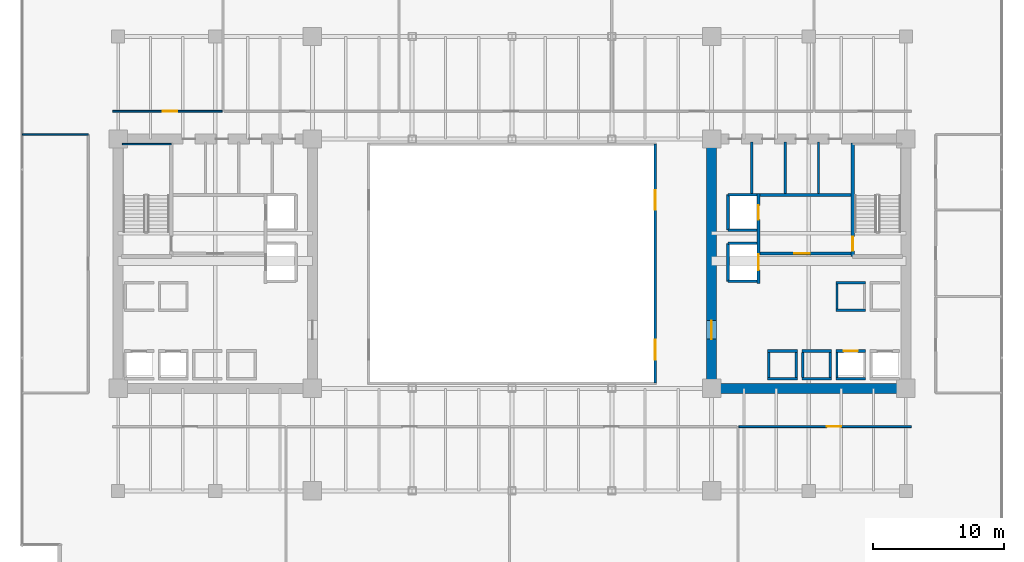
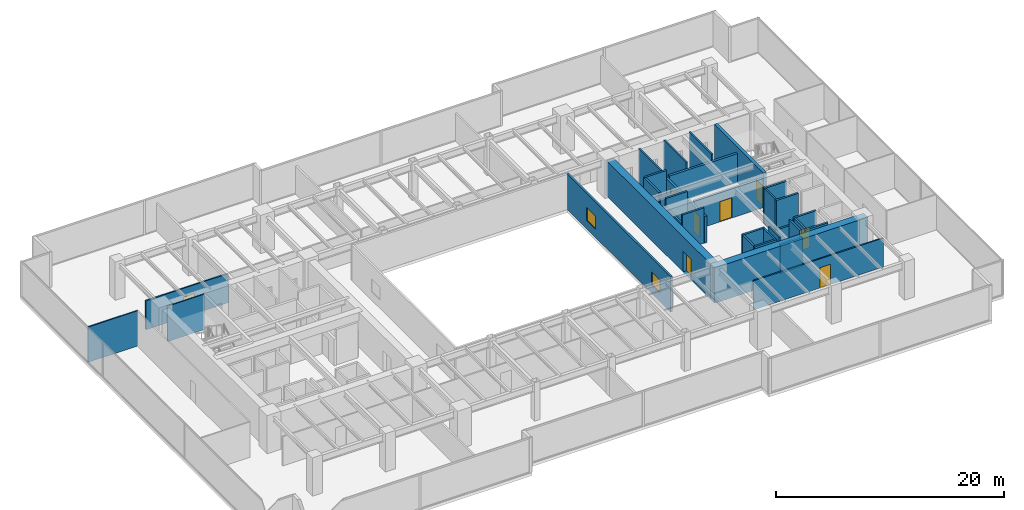
# One storey, part 30 of 35: 34 walls, 8 doors, 2 windows, 10 openings.
"""IFC4 building model written with IfcOpenShell, lengths in metres."""

from ifc_helpers import new_model, si_unit, direction, frame, frame_2d, origin, place, context, subcontext, project, spatial, rectangle, extrude, source, transform, mapped, material, layer, layer_set, type_object, type_shapes, element, fill, save


model = new_model("IFC4")

# Units and contexts
model_context = context("Model", 3, precision=1e-05, world=origin(), true_north=direction((0.0, 1.0)))
body_context = subcontext(model_context, "Body", "Model", "MODEL_VIEW")
ifc_project = project(units=[si_unit("LENGTHUNIT", "METRE"), si_unit("AREAUNIT", "SQUARE_METRE"), si_unit("VOLUMEUNIT", "CUBIC_METRE"), si_unit("PLANEANGLEUNIT", "RADIAN"), si_unit("MASSUNIT", "GRAM", prefix="KILO")], contexts=[model_context])

# Site, building, storey
site_placement = place(None, origin())
site = spatial("IfcSite", under=ifc_project, at=site_placement, CompositionType="ELEMENT")
building_placement = place(site_placement, origin())
building = spatial("IfcBuilding", under=site, at=building_placement, Name="Haelvirn Gate Laboratories", CompositionType="ELEMENT")
storey_placement = place(building_placement, frame((0.0, 0.0, 66.199951171875)))
storey = spatial("IfcBuildingStorey", under=building, at=storey_placement, Name="L16", CompositionType="ELEMENT", Elevation=66.199951171875)

# Wall, openings, windows
ifc_material_1 = material(Name="Tempered fire-rated borosilicate glass & anodised aluminium", Category="aluminium")
ifc_layer_1 = layer(ifc_material_1, 0.195068359375, Name="IW-GLAZ-200")
ifc_layer_set_1 = layer_set([ifc_layer_1], Name="Tempered fire-rated borosilicate glass & anodised aluminium")
wall_type_1 = type_object("IfcWallType", Name="IW-GLAZ-200", PredefinedType="SOLIDWALL", material=ifc_layer_set_1)
wall_1_placement = place(storey_placement, frame((48.300048828125, 15.199951171875, 0.0), z_axis=(0.0, 0.0, 1.0), x_axis=(0.0, 1.0, 0.0)))
wall_1 = element("IfcWall", 1, at=wall_1_placement, inside=storey, type_object=wall_type_1, Name="L16 Interior Wall IW-L16-ATRIUM-E", PredefinedType="SOLIDWALL", context=body_context, shape_type="SweptSolid", body=[
    extrude(rectangle(XDim=18.199951171875, YDim=0.195068359375, at=frame_2d((9.10009765625, 0.0))), origin(), (0.0, 0.0, 1.0), 3.780029296875),
])
opening_1_placement = place(wall_1_placement, frame((1.800048828125, 0.0, 0.89990234375)))
opening_1 = element("IfcOpeningElement", 2, at=opening_1_placement, cuts=wall_1, Name="Opening W5", PredefinedType="OPENING", context=body_context, shape_type="SweptSolid", body=[
    extrude(rectangle(XDim=1.5, YDim=1.39990234375, at=frame_2d((0.75, 0.699951171875))), frame((0.0, 0.107421875, 0.0), z_axis=(0.0, -1.0, 0.0), x_axis=(1.0, 0.0, 0.0)), (0.0, 0.0, 1.0), 0.215087890625),
])
opening_2_placement = place(wall_1_placement, frame((13.199951171875, 0.0, 0.89990234375)))
opening_2 = element("IfcOpeningElement", 3, at=opening_2_placement, cuts=wall_1, Name="Opening W5", PredefinedType="OPENING", context=body_context, shape_type="SweptSolid", body=[
    extrude(rectangle(XDim=1.5, YDim=1.39990234375, at=frame_2d((0.75, 0.699951171875))), frame((0.0, 0.107421875, 0.0), z_axis=(0.0, -1.0, 0.0), x_axis=(1.0, 0.0, 0.0)), (0.0, 0.0, 1.0), 0.215087890625),
])
ifc_material_2 = material(Name="Fire-rated EI 120 borosilicate atrium vision glazing", Category="glass")
window_type = type_object("IfcWindowType", Name="WN-ATR-1500", PartitioningType="SINGLE_PANEL", PredefinedType="WINDOW", material=ifc_material_2)
shared_shape_1 = source(origin(), body_context, "Body", "SweptSolid", [
    extrude(rectangle(XDim=1.5, YDim=1.39990234375, at=frame_2d((0.75, 0.699951171875))), frame((0.0, 0.030029296875, 0.0), z_axis=(0.0, -1.0, 0.0), x_axis=(1.0, 0.0, 0.0)), (0.0, 0.0, 1.0), 0.06005859375),
])
type_shapes(window_type, [shared_shape_1])
window_1_placement = place(opening_1_placement, origin())
window_1 = element("IfcWindow", 4, at=window_1_placement, inside=storey, type_object=window_type, Name="L16 Atrium Observation Window 1", OverallHeight=1.39990234375, OverallWidth=1.5, PartitioningType="SINGLE_PANEL", PredefinedType="WINDOW", context=body_context, shape_type="MappedRepresentation", body=[
    mapped(shared_shape_1, transform((0.0, 0.0, 0.0), scale=1.0)),
])
fill(opening_1, window_1)
window_2_placement = place(opening_2_placement, origin())
window_2 = element("IfcWindow", 5, at=window_2_placement, inside=storey, type_object=window_type, Name="L16 Atrium Observation Window 2", OverallHeight=1.39990234375, OverallWidth=1.5, PartitioningType="SINGLE_PANEL", PredefinedType="WINDOW", context=body_context, shape_type="MappedRepresentation", body=[
    mapped(shared_shape_1, transform((0.0, 0.0, 0.0), scale=1.0)),
])
fill(opening_2, window_2)

# Wall
ifc_material_3 = material(Name="Lightweight acoustic gypsum board partition", Category="gypsum")
ifc_layer_2 = layer(ifc_material_3, 0.1201171875, Name="IW-PART-120")
ifc_layer_set_2 = layer_set([ifc_layer_2], Name="Lightweight acoustic gypsum board partition")
wall_type_2 = type_object("IfcWallType", Name="IW-PART-120", PredefinedType="PARTITIONING", material=ifc_layer_set_2)
wall_2_placement = place(storey_placement, frame((0.110107421875, 34.135009765625, 0.0), z_axis=(0.0, 0.0, 1.0), x_axis=(1.0, 0.0, 0.0)))
element("IfcWall", 6, at=wall_2_placement, inside=storey, type_object=wall_type_2, Name="L16 Interior Wall IW-L16-WCAP-N", PredefinedType="PARTITIONING", context=body_context, shape_type="SweptSolid", body=[
    extrude(rectangle(XDim=5.019775390625, YDim=0.1201171875, at=frame_2d((2.509765625, 0.0))), origin(), (0.0, 0.0, 1.0), 3.780029296875),
])

# Wall, opening, door
ifc_material_4 = material(Name="Acoustic mineral-wool gypsum board partition", Category="gypsum")
ifc_layer_3 = layer(ifc_material_4, 0.139892578125, Name="IW-PART-140")
ifc_layer_set_3 = layer_set([ifc_layer_3], Name="Acoustic mineral-wool gypsum board partition")
wall_type_3 = type_object("IfcWallType", Name="IW-PART-140", PredefinedType="PARTITIONING", material=ifc_layer_set_3)
wall_3_placement = place(storey_placement, frame((54.679931640625, 11.889892578125, 0.0), z_axis=(0.0, 0.0, 1.0), x_axis=(1.0, 0.0, 0.0)))
wall_3 = element("IfcWall", 7, at=wall_3_placement, inside=storey, type_object=wall_type_3, Name="L16 Interior Wall IW-L16-SCORR-04", PredefinedType="PARTITIONING", context=body_context, shape_type="SweptSolid", body=[
    extrude(rectangle(XDim=13.14013671875, YDim=0.139892578125, at=frame_2d((6.570068359375, 0.0))), origin(), (0.0, 0.0, 1.0), 3.114990234375),
])
opening_3_placement = place(wall_3_placement, frame((6.700439453125, 0.0, 0.0)))
opening_3 = element("IfcOpeningElement", 8, at=opening_3_placement, cuts=wall_3, Name="Opening D1", PredefinedType="OPENING", context=body_context, shape_type="SweptSolid", body=[
    extrude(rectangle(XDim=1.10009765625, YDim=2.179931640625, at=frame_2d((0.550048828125, 1.08984375))), frame((0.0, 0.080078125, 0.0), z_axis=(0.0, -1.0, 0.0), x_axis=(1.0, 0.0, 0.0)), (0.0, 0.0, 1.0), 0.159912109375),
])
ifc_material_5 = material(Name="Vision-panel acoustic solid-core timber lab door", Category="wood")
door_type_1 = type_object("IfcDoorType", Name="DR-LAB-1100", OperationType="NOTDEFINED", PredefinedType="DOOR", material=ifc_material_5)
shared_shape_2 = source(origin(), body_context, "Body", "SweptSolid", [
    extrude(rectangle(XDim=1.10009765625, YDim=2.179931640625, at=frame_2d((0.550048828125, 1.08984375))), frame((0.0, 0.02490234375, 0.0), z_axis=(0.0, -1.0, 0.0), x_axis=(1.0, 0.0, 0.0)), (0.0, 0.0, 1.0), 0.050048828125),
])
type_shapes(door_type_1, [shared_shape_2])
door_1_placement = place(opening_3_placement, origin())
door_1 = element("IfcDoor", 9, at=door_1_placement, inside=storey, type_object=door_type_1, Name="L16 Translational Data Office Door S4", OperationType="SINGLE_SWING_RIGHT", OverallHeight=2.179931640625, OverallWidth=1.10009765625, PredefinedType="DOOR", context=body_context, shape_type="MappedRepresentation", body=[
    mapped(shared_shape_2, transform((0.0, 0.0, 0.0), scale=1.0)),
])
fill(opening_3, door_1)

wall_4_placement = place(storey_placement, frame((6.97998046875, 35.909912109375, 0.0), z_axis=(0.0, 0.0, 1.0), x_axis=(1.0, 0.0, 0.0)))
wall_4 = element("IfcWall", 10, at=wall_4_placement, inside=storey, type_object=wall_type_3, Name="L16 Interior Wall IW-L16-NCORR-01", PredefinedType="PARTITIONING", context=body_context, shape_type="SweptSolid", body=[
    extrude(rectangle(XDim=8.340087890625, YDim=0.139892578125, at=frame_2d((4.169921875, 0.0))), origin(), (0.0, 0.0, 1.0), 3.114990234375),
])
opening_4_placement = place(wall_4_placement, frame((3.816162109375, 0.0, 0.0)))
opening_4 = element("IfcOpeningElement", 11, at=opening_4_placement, cuts=wall_4, Name="Opening D1", PredefinedType="OPENING", context=body_context, shape_type="SweptSolid", body=[
    extrude(rectangle(XDim=1.10009765625, YDim=2.179931640625, at=frame_2d((0.550048828125, 1.08984375))), frame((0.0, 0.080078125, 0.0), z_axis=(0.0, -1.0, 0.0), x_axis=(1.0, 0.0, 0.0)), (0.0, 0.0, 1.0), 0.159912109375),
])
door_2_placement = place(opening_4_placement, origin())
door_2 = element("IfcDoor", 12, at=door_2_placement, inside=storey, type_object=door_type_1, Name="L16 Colloquium Conference Room Door N1", OperationType="SINGLE_SWING_RIGHT", OverallHeight=2.179931640625, OverallWidth=1.10009765625, PredefinedType="DOOR", context=body_context, shape_type="MappedRepresentation", body=[
    mapped(shared_shape_2, transform((0.0, 0.0, 0.0), scale=1.0)),
])
fill(opening_4, door_2)

# Walls
ifc_material_6 = material(Name="Cement-board restroom plumbing chase wall", Category="gypsum")
ifc_layer_4 = layer(ifc_material_6, 0.155029296875, Name="IW-PLUMB-160")
ifc_layer_set_4 = layer_set([ifc_layer_4], Name="Cement-board restroom plumbing chase wall")
wall_type_4 = type_object("IfcWallType", Name="IW-PLUMB-160", PredefinedType="PLUMBINGWALL", material=ifc_layer_set_4)
for number, where, z_axis, x_axis, name in (
    (13, (60.760009765625, 29.64990234375, 0.0), (0.0, 0.0, 1.0), (0.0, 1.0, 0.0), "L16 Interior Wall IW-L16-E-CDIV-1"),
    (14, (58.2099609375, 29.64990234375, 0.0), (0.0, 0.0, 1.0), (0.0, 1.0, 0.0), "L16 Interior Wall IW-L16-E-CDIV-2"),
    (15, (55.659912109375, 29.64990234375, 0.0), (0.0, 0.0, 1.0), (0.0, 1.0, 0.0), "L16 Interior Wall IW-L16-E-CDIV-3"),
):
    element("IfcWall", number, at=place(storey_placement, frame(where, z_axis=z_axis, x_axis=x_axis)), inside=storey, type_object=wall_type_4, Name=name, PredefinedType="PLUMBINGWALL", context=body_context, shape_type="SweptSolid", body=[
        extrude(rectangle(XDim=3.93017578125, YDim=0.155029296875, at=frame_2d((1.965087890625, 0.0))), origin(), (0.0, 0.0, 1.0), 3.780029296875),
    ])
ifc_material_7 = material(Name="Concrete C40/50", Category="concrete")
ifc_layer_5 = layer(ifc_material_7, 0.179931640625, Name="IW-SHAFT-180")
ifc_layer_set_5 = layer_set([ifc_layer_5], Name="Concrete C40/50")
wall_type_5 = type_object("IfcWallType", Name="IW-SHAFT-180", PredefinedType="SOLIDWALL", material=ifc_layer_set_5)
for number, where, z_axis, x_axis, name in (
    (16, (62.14990234375, 15.64990234375, 0.0), (0.0, 0.0, 1.0), (0.0, 1.0, 0.0), "L16 Interior Wall IW-L16-PL4-SD"),
    (17, (59.550048828125, 15.64990234375, 0.0), (0.0, 0.0, 1.0), (0.0, 1.0, 0.0), "L16 Interior Wall IW-L16-PL7-SD"),
    (18, (61.64990234375, 15.64990234375, 0.0), (0.0, 0.0, 1.0), (0.0, 1.0, 0.0), "L16 Interior Wall IW-L16-PL7-SDE"),
    (19, (56.949951171875, 15.64990234375, 0.0), (0.0, 0.0, 1.0), (0.0, 1.0, 0.0), "L16 Interior Wall IW-L16-PL8-SD"),
    (20, (59.050048828125, 15.64990234375, 0.0), (0.0, 0.0, 1.0), (0.0, 1.0, 0.0), "L16 Interior Wall IW-L16-PL8-SDE"),
):
    element("IfcWall", number, at=place(storey_placement, frame(where, z_axis=z_axis, x_axis=x_axis)), inside=storey, type_object=wall_type_5, Name=name, PredefinedType="SOLIDWALL", context=body_context, shape_type="SweptSolid", body=[
        extrude(rectangle(XDim=1.900146484375, YDim=0.179931640625, at=frame_2d((0.9501953125, 0.0))), origin(), (0.0, 0.0, 1.0), 3.780029296875),
    ])
wall_5_placement = place(storey_placement, frame((62.14990234375, 20.85009765625, 0.0), z_axis=(0.0, 0.0, 1.0), x_axis=(0.0, 1.0, 0.0)))
element("IfcWall", 21, at=wall_5_placement, inside=storey, type_object=wall_type_5, Name="L16 Interior Wall IW-L16-PL12-SD", PredefinedType="SOLIDWALL", context=body_context, shape_type="SweptSolid", body=[
    extrude(rectangle(XDim=1.89990234375, YDim=0.179931640625, at=frame_2d((0.949951171875, 0.0))), origin(), (0.0, 0.0, 1.0), 3.780029296875),
])

# Wall, opening, door
ifc_layer_6 = layer(ifc_material_7, 0.199951171875, Name="IW-SHAFT-200")
ifc_layer_set_6 = layer_set([ifc_layer_6], Name="Concrete C40/50")
wall_type_6 = type_object("IfcWallType", Name="IW-SHAFT-200", PredefinedType="SOLIDWALL", material=ifc_layer_set_6)
wall_6_placement = place(storey_placement, frame((62.070068359375, 17.64990234375, 0.0), z_axis=(0.0, 0.0, 1.0), x_axis=(1.0, 0.0, 0.0)))
wall_6 = element("IfcWall", 22, at=wall_6_placement, inside=storey, type_object=wall_type_6, Name="L16 Interior Wall IW-L16-PL4-FR", PredefinedType="SOLIDWALL", context=body_context, shape_type="SweptSolid", body=[
    extrude(rectangle(XDim=2.260009765625, YDim=0.199951171875, at=frame_2d((1.1298828125, 0.0))), origin(), (0.0, 0.0, 1.0), 3.780029296875),
])
opening_5_placement = place(wall_6_placement, frame((0.580078125, 0.0, 0.0)))
opening_5 = element("IfcOpeningElement", 23, at=opening_5_placement, cuts=wall_6, Name="Opening LD2", PredefinedType="OPENING", context=body_context, shape_type="SweptSolid", body=[
    extrude(rectangle(XDim=1.10009765625, YDim=2.219970703125, at=frame_2d((0.550048828125, 1.10986328125))), frame((0.0, 0.10986328125, 0.0), z_axis=(0.0, -1.0, 0.0), x_axis=(1.0, 0.0, 0.0)), (0.0, 0.0, 1.0), 0.219970703125),
])
ifc_material_8 = material(Name="Bronze stainless 316L sliding lift landing door")
door_type_2 = type_object("IfcDoorType", Name="DR-LD-1100", OperationType="NOTDEFINED", PredefinedType="USERDEFINED", material=ifc_material_8)
shared_shape_3 = source(origin(), body_context, "Body", "SweptSolid", [
    extrude(rectangle(XDim=1.10009765625, YDim=2.219970703125, at=frame_2d((0.550048828125, 1.10986328125))), frame((0.0, 0.02490234375, 0.0), z_axis=(0.0, -1.0, 0.0), x_axis=(1.0, 0.0, 0.0)), (0.0, 0.0, 1.0), 0.050048828125),
])
type_shapes(door_type_2, [shared_shape_3])
door_3_placement = place(opening_5_placement, origin())
door_3 = element("IfcDoor", 24, at=door_3_placement, inside=storey, type_object=door_type_2, Name="L16 Passenger Lift PL4 Landing Door", ObjectType="LANDING_DOOR", OperationType="SLIDING_TO_RIGHT", OverallHeight=2.219970703125, OverallWidth=1.10009765625, PredefinedType="USERDEFINED", context=body_context, shape_type="MappedRepresentation", body=[
    mapped(shared_shape_3, transform((0.0, 0.0, 0.0), scale=1.0)),
])
fill(opening_5, door_3)

# Walls
wall_7_placement = place(storey_placement, frame((62.070068359375, 15.550048828125, 0.0), z_axis=(0.0, 0.0, 1.0), x_axis=(1.0, 0.0, 0.0)))
element("IfcWall", 25, at=wall_7_placement, inside=storey, type_object=wall_type_6, Name="L16 Interior Wall IW-L16-PL4-BK", PredefinedType="SOLIDWALL", context=body_context, shape_type="SweptSolid", body=[
    extrude(rectangle(XDim=2.260009765625, YDim=0.199951171875, at=frame_2d((1.1298828125, 0.0))), origin(), (0.0, 0.0, 1.0), 3.780029296875),
])
for number, where, z_axis, x_axis, name in (
    (26, (59.469970703125, 17.64990234375, 0.0), (0.0, 0.0, 1.0), (1.0, 0.0, 0.0), "L16 Interior Wall IW-L16-PL7-FR"),
    (27, (59.469970703125, 15.550048828125, 0.0), (0.0, 0.0, 1.0), (1.0, 0.0, 0.0), "L16 Interior Wall IW-L16-PL7-BK"),
):
    element("IfcWall", number, at=place(storey_placement, frame(where, z_axis=z_axis, x_axis=x_axis)), inside=storey, type_object=wall_type_6, Name=name, PredefinedType="SOLIDWALL", context=body_context, shape_type="SweptSolid", body=[
        extrude(rectangle(XDim=2.260009765625, YDim=0.199951171875, at=frame_2d((1.1298828125, 0.0))), origin(), (0.0, 0.0, 1.0), 3.114990234375),
    ])
for number, where, z_axis, x_axis, name in (
    (28, (56.8701171875, 17.64990234375, 0.0), (0.0, 0.0, 1.0), (1.0, 0.0, 0.0), "L16 Interior Wall IW-L16-PL8-FR"),
    (29, (56.8701171875, 15.550048828125, 0.0), (0.0, 0.0, 1.0), (1.0, 0.0, 0.0), "L16 Interior Wall IW-L16-PL8-BK"),
):
    element("IfcWall", number, at=place(storey_placement, frame(where, z_axis=z_axis, x_axis=x_axis)), inside=storey, type_object=wall_type_6, Name=name, PredefinedType="SOLIDWALL", context=body_context, shape_type="SweptSolid", body=[
        extrude(rectangle(XDim=2.259765625, YDim=0.199951171875, at=frame_2d((1.1298828125, 0.0))), origin(), (0.0, 0.0, 1.0), 3.780029296875),
    ])
for number, where, z_axis, x_axis, name in (
    (30, (62.070068359375, 20.75, 0.0), (0.0, 0.0, 1.0), (1.0, 0.0, 0.0), "L16 Interior Wall IW-L16-PL12-FR"),
    (31, (62.070068359375, 22.85009765625, 0.0), (0.0, 0.0, 1.0), (1.0, 0.0, 0.0), "L16 Interior Wall IW-L16-PL12-BK"),
):
    element("IfcWall", number, at=place(storey_placement, frame(where, z_axis=z_axis, x_axis=x_axis)), inside=storey, type_object=wall_type_6, Name=name, PredefinedType="SOLIDWALL", context=body_context, shape_type="SweptSolid", body=[
        extrude(rectangle(XDim=2.260009765625, YDim=0.199951171875, at=frame_2d((1.1298828125, 0.0))), origin(), (0.0, 0.0, 1.0), 3.780029296875),
    ])
wall_8_placement = place(storey_placement, frame((53.85009765625, 26.85009765625, 0.0), z_axis=(0.0, 0.0, 1.0), x_axis=(0.0, 1.0, 0.0)))
element("IfcWall", 32, at=wall_8_placement, inside=storey, type_object=wall_type_6, Name="L16 Interior Wall IW-L16-FL2-BK", PredefinedType="SOLIDWALL", context=body_context, shape_type="SweptSolid", body=[
    extrude(rectangle(XDim=2.699951171875, YDim=0.199951171875, at=frame_2d((1.35009765625, 0.0))), origin(), (0.0, 0.0, 1.0), 3.780029296875),
])
wall_9_placement = place(storey_placement, frame((53.85009765625, 29.550048828125, 0.0), z_axis=(0.0, 0.0, 1.0), x_axis=(1.0, 0.0, 0.0)))
element("IfcWall", 33, at=wall_9_placement, inside=storey, type_object=wall_type_6, Name="L16 Interior Wall IW-L16-FL2-N", PredefinedType="SOLIDWALL", context=body_context, shape_type="SweptSolid", body=[
    extrude(rectangle(XDim=2.18994140625, YDim=0.199951171875, at=frame_2d((1.094970703125, 0.0))), origin(), (0.0, 0.0, 1.0), 3.780029296875),
])
wall_10_placement = place(storey_placement, frame((53.85009765625, 26.85009765625, 0.0), z_axis=(0.0, 0.0, 1.0), x_axis=(1.0, 0.0, 0.0)))
element("IfcWall", 34, at=wall_10_placement, inside=storey, type_object=wall_type_6, Name="L16 Interior Wall IW-L16-FL2-S", PredefinedType="SOLIDWALL", context=body_context, shape_type="SweptSolid", body=[
    extrude(rectangle(XDim=2.18994140625, YDim=0.199951171875, at=frame_2d((1.094970703125, 0.0))), origin(), (0.0, 0.0, 1.0), 3.177001953125),
])
wall_11_placement = place(storey_placement, frame((53.85009765625, 22.949951171875, 0.0), z_axis=(0.0, 0.0, 1.0), x_axis=(0.0, 1.0, 0.0)))
element("IfcWall", 35, at=wall_11_placement, inside=storey, type_object=wall_type_6, Name="L16 Interior Wall IW-L16-SL2-BK", PredefinedType="SOLIDWALL", context=body_context, shape_type="SweptSolid", body=[
    extrude(rectangle(XDim=2.900146484375, YDim=0.199951171875, at=frame_2d((1.4501953125, 0.0))), origin(), (0.0, 0.0, 1.0), 2.864990234375),
])
for number, where, z_axis, x_axis, name in (
    (36, (53.85009765625, 25.85009765625, 0.0), (0.0, 0.0, 1.0), (1.0, 0.0, 0.0), "L16 Interior Wall IW-L16-SL2-N"),
    (37, (53.85009765625, 22.949951171875, 0.0), (0.0, 0.0, 1.0), (1.0, 0.0, 0.0), "L16 Interior Wall IW-L16-SL2-S"),
):
    element("IfcWall", number, at=place(storey_placement, frame(where, z_axis=z_axis, x_axis=x_axis)), inside=storey, type_object=wall_type_6, Name=name, PredefinedType="SOLIDWALL", context=body_context, shape_type="SweptSolid", body=[
        extrude(rectangle(XDim=2.18994140625, YDim=0.199951171875, at=frame_2d((1.094970703125, 0.0))), origin(), (0.0, 0.0, 1.0), 3.780029296875),
    ])

# Wall, opening, door
ifc_layer_7 = layer(ifc_material_7, 0.239990234375, Name="IW-SHAFT-240")
ifc_layer_set_7 = layer_set([ifc_layer_7], Name="Concrete C40/50")
wall_type_7 = type_object("IfcWallType", Name="IW-SHAFT-240", PredefinedType="SOLIDWALL", material=ifc_layer_set_7)
wall_12_placement = place(storey_placement, frame((56.280029296875, 25.080078125, 0.0), z_axis=(0.0, 0.0, 1.0), x_axis=(1.0, 0.0, 0.0)))
wall_12 = element("IfcWall", 38, at=wall_12_placement, inside=storey, type_object=wall_type_7, Name="L16 Interior Wall IW-L16-E-FF-S", PredefinedType="SOLIDWALL", context=body_context, shape_type="SweptSolid", body=[
    extrude(rectangle(XDim=6.919921875, YDim=0.239990234375, at=frame_2d((3.4599609375, 0.0))), origin(), (0.0, 0.0, 1.0), 3.114990234375),
])
opening_6_placement = place(wall_12_placement, frame((2.60009765625, 0.0, 0.0)))
opening_6 = element("IfcOpeningElement", 39, at=opening_6_placement, cuts=wall_12, Name="Opening FD2", PredefinedType="OPENING", context=body_context, shape_type="SweptSolid", body=[
    extrude(rectangle(XDim=1.199951171875, YDim=2.159912109375, at=frame_2d((0.60009765625, 1.080078125))), frame((0.0, 0.1298828125, 0.0), z_axis=(0.0, -1.0, 0.0), x_axis=(1.0, 0.0, 0.0)), (0.0, 0.0, 1.0), 0.260009765625),
])
ifc_material_9 = material(Name="Fire-rated steel SM355 compartment door", Category="steel")
door_type_3 = type_object("IfcDoorType", Name="DR-FD-1200", OperationType="NOTDEFINED", PredefinedType="DOOR", material=ifc_material_9)
shared_shape_4 = source(origin(), body_context, "Body", "SweptSolid", [
    extrude(rectangle(XDim=1.199951171875, YDim=2.159912109375, at=frame_2d((0.60009765625, 1.080078125))), frame((0.0, 0.02490234375, 0.0), z_axis=(0.0, -1.0, 0.0), x_axis=(1.0, 0.0, 0.0)), (0.0, 0.0, 1.0), 0.050048828125),
])
type_shapes(door_type_3, [shared_shape_4])
door_4_placement = place(opening_6_placement, origin())
door_4 = element("IfcDoor", 40, at=door_4_placement, inside=storey, type_object=door_type_3, Name="L16 East Firefighting Lobby Door", OperationType="SINGLE_SWING_LEFT", OverallHeight=2.159912109375, OverallWidth=1.199951171875, PredefinedType="DOOR", context=body_context, shape_type="MappedRepresentation", body=[
    mapped(shared_shape_4, transform((0.0, 0.0, 0.0), scale=1.0)),
])
fill(opening_6, door_4)

# Wall
wall_13_placement = place(storey_placement, frame((56.280029296875, 29.52001953125, 0.0), z_axis=(0.0, 0.0, 1.0), x_axis=(1.0, 0.0, 0.0)))
element("IfcWall", 41, at=wall_13_placement, inside=storey, type_object=wall_type_7, Name="L16 Interior Wall IW-L16-E-FF-N", PredefinedType="SOLIDWALL", context=body_context, shape_type="SweptSolid", body=[
    extrude(rectangle(XDim=6.919921875, YDim=0.239990234375, at=frame_2d((3.4599609375, 0.0))), origin(), (0.0, 0.0, 1.0), 3.114990234375),
])

# Wall, openings, doors
wall_14_placement = place(storey_placement, frame((56.159912109375, 22.800048828125, 0.0), z_axis=(0.0, 0.0, 1.0), x_axis=(0.0, 1.0, 0.0)))
wall_14 = element("IfcWall", 42, at=wall_14_placement, inside=storey, type_object=wall_type_7, Name="L16 Interior Wall IW-L16-E-FF-E", PredefinedType="SOLIDWALL", context=body_context, shape_type="SweptSolid", body=[
    extrude(rectangle(XDim=6.849853515625, YDim=0.239990234375, at=frame_2d((3.4248046875, 0.0))), origin(), (0.0, 0.0, 1.0), 2.864990234375),
])
opening_7_placement = place(wall_14_placement, frame((4.85009765625, 0.0, 0.0)))
opening_7 = element("IfcOpeningElement", 43, at=opening_7_placement, cuts=wall_14, Name="Opening LD2", PredefinedType="OPENING", context=body_context, shape_type="SweptSolid", body=[
    extrude(rectangle(XDim=1.10009765625, YDim=2.219970703125, at=frame_2d((0.550048828125, 1.10986328125))), frame((0.0, 0.1298828125, 0.0), z_axis=(0.0, -1.0, 0.0), x_axis=(1.0, 0.0, 0.0)), (0.0, 0.0, 1.0), 0.260009765625),
])
opening_8_placement = place(wall_14_placement, frame((1.0, 0.0, 0.0)))
opening_8 = element("IfcOpeningElement", 44, at=opening_8_placement, cuts=wall_14, Name="Opening LD1", PredefinedType="OPENING", context=body_context, shape_type="SweptSolid", body=[
    extrude(rectangle(XDim=1.199951171875, YDim=2.219970703125, at=frame_2d((0.60009765625, 1.10986328125))), frame((0.0, 0.1298828125, 0.0), z_axis=(0.0, -1.0, 0.0), x_axis=(1.0, 0.0, 0.0)), (0.0, 0.0, 1.0), 0.260009765625),
])
door_5_placement = place(opening_7_placement, origin())
door_5 = element("IfcDoor", 45, at=door_5_placement, inside=storey, type_object=door_type_2, Name="L16 Firefighting Lift FL2 Landing Door", ObjectType="LANDING_DOOR", OperationType="SLIDING_TO_RIGHT", OverallHeight=2.219970703125, OverallWidth=1.10009765625, PredefinedType="USERDEFINED", context=body_context, shape_type="MappedRepresentation", body=[
    mapped(shared_shape_3, transform((0.0, 0.0, 0.0), scale=1.0)),
])
fill(opening_7, door_5)
ifc_material_10 = material(Name="Stainless steel 316L sliding goods landing door", Category="steel")
door_type_4 = type_object("IfcDoorType", Name="DR-LD-1200", OperationType="NOTDEFINED", PredefinedType="USERDEFINED", material=ifc_material_10)
shared_shape_5 = source(origin(), body_context, "Body", "SweptSolid", [
    extrude(rectangle(XDim=1.199951171875, YDim=2.219970703125, at=frame_2d((0.60009765625, 1.10986328125))), frame((0.0, 0.02490234375, 0.0), z_axis=(0.0, -1.0, 0.0), x_axis=(1.0, 0.0, 0.0)), (0.0, 0.0, 1.0), 0.050048828125),
])
type_shapes(door_type_4, [shared_shape_5])
door_6_placement = place(opening_8_placement, origin())
door_6 = element("IfcDoor", 46, at=door_6_placement, inside=storey, type_object=door_type_4, Name="L16 Service Lift SL2 Landing Door", ObjectType="LANDING_DOOR", OperationType="SLIDING_TO_LEFT", OverallHeight=2.219970703125, OverallWidth=1.199951171875, PredefinedType="USERDEFINED", context=body_context, shape_type="MappedRepresentation", body=[
    mapped(shared_shape_5, transform((0.0, 0.0, 0.0), scale=1.0)),
])
fill(opening_8, door_6)

# Wall
ifc_material_11 = material(Name="Concrete C70/85", Category="concrete")
ifc_layer_8 = layer(ifc_material_11, 0.75, Name="SW-CORE-750")
ifc_layer_set_8 = layer_set([ifc_layer_8], Name="Concrete C70/85")
wall_type_8 = type_object("IfcWallType", Name="SW-CORE-750", PredefinedType="SHEAR", material=ifc_layer_set_8)
wall_15_placement = place(storey_placement, frame((52.22509765625, 14.800048828125, 0.0), z_axis=(0.0, 0.0, 1.0), x_axis=(1.0, 0.0, 0.0)))
element("IfcWall", 47, at=wall_15_placement, inside=storey, type_object=wall_type_8, Name="L16 E Core Shear Wall S", PredefinedType="SHEAR", context=body_context, shape_type="SweptSolid", body=[
    extrude(rectangle(XDim=15.5498046875, YDim=0.75, at=frame_2d((7.77490234375, 0.0))), origin(), (0.0, 0.0, 1.0), 3.780029296875),
])

# Wall, opening, door
wall_16_placement = place(storey_placement, frame((52.60009765625, 15.175048828125, 0.0), z_axis=(0.0, 0.0, 1.0), x_axis=(0.0, 1.0, 0.0)))
wall_16 = element("IfcWall", 48, at=wall_16_placement, inside=storey, type_object=wall_type_8, Name="L16 E Core Shear Wall W", PredefinedType="SHEAR", context=body_context, shape_type="SweptSolid", body=[
    extrude(rectangle(XDim=18.25, YDim=0.75, at=frame_2d((9.125, 0.0))), origin(), (0.0, 0.0, 1.0), 3.780029296875),
])
opening_9_placement = place(wall_16_placement, frame((3.375, 0.0, 0.0)))
opening_9 = element("IfcOpeningElement", 49, at=opening_9_placement, cuts=wall_16, Name="Opening FD1", PredefinedType="OPENING", context=body_context, shape_type="SweptSolid", body=[
    extrude(rectangle(XDim=1.419921875, YDim=2.199951171875, at=frame_2d((0.7099609375, 1.10009765625))), frame((0.0, 0.385009765625, 0.0), z_axis=(0.0, -1.0, 0.0), x_axis=(1.0, 0.0, 0.0)), (0.0, 0.0, 1.0), 0.77001953125),
])
ifc_material_12 = material(Name="Fire-rated double steel SM355 lobby door", Category="steel")
door_type_5 = type_object("IfcDoorType", Name="DR-FD-1400", OperationType="NOTDEFINED", PredefinedType="DOOR", material=ifc_material_12)
shared_shape_6 = source(origin(), body_context, "Body", "SweptSolid", [
    extrude(rectangle(XDim=1.419921875, YDim=2.199951171875, at=frame_2d((0.7099609375, 1.10009765625))), frame((0.0, 0.02490234375, 0.0), z_axis=(0.0, -1.0, 0.0), x_axis=(1.0, 0.0, 0.0)), (0.0, 0.0, 1.0), 0.050048828125),
])
type_shapes(door_type_5, [shared_shape_6])
door_7_placement = place(opening_9_placement, origin())
door_7 = element("IfcDoor", 50, at=door_7_placement, inside=storey, type_object=door_type_5, Name="L16 East Core Lift Lobby Fire Door", OperationType="DOUBLE_DOOR_SINGLE_SWING", OverallHeight=2.199951171875, OverallWidth=1.419921875, PredefinedType="DOOR", context=body_context, shape_type="MappedRepresentation", body=[
    mapped(shared_shape_6, transform((0.0, 0.0, 0.0), scale=1.0)),
])
fill(opening_9, door_7)

# Wall
ifc_material_13 = material(Name="Concrete C50/60", Category="concrete")
ifc_layer_9 = layer(ifc_material_13, 0.1201171875, Name="SW-LINER-120")
ifc_layer_set_9 = layer_set([ifc_layer_9], Name="Concrete C50/60")
wall_type_9 = type_object("IfcWallType", Name="SW-LINER-120", PredefinedType="SOLIDWALL", material=ifc_layer_set_9)
wall_17_placement = place(storey_placement, frame((7.72998046875, 33.39990234375, 0.0), z_axis=(0.0, 0.0, 1.0), x_axis=(1.0, 0.0, 0.0)))
element("IfcWall", 51, at=wall_17_placement, inside=storey, type_object=wall_type_9, Name="L16 W Core Stair Shaft Liner Wall N", PredefinedType="SOLIDWALL", context=body_context, shape_type="SweptSolid", body=[
    extrude(rectangle(XDim=3.719970703125, YDim=0.1201171875, at=frame_2d((1.85986328125, 0.0))), origin(), (0.0, 0.0, 1.0), 3.780029296875),
])

# Wall, opening, door
ifc_layer_10 = layer(ifc_material_13, 0.300048828125, Name="SW-STAIR-300")
ifc_layer_set_10 = layer_set([ifc_layer_10], Name="Concrete C50/60")
wall_type_10 = type_object("IfcWallType", Name="SW-STAIR-300", PredefinedType="SHEAR", material=ifc_layer_set_10)
wall_18_placement = place(storey_placement, frame((63.35009765625, 24.85009765625, 0.0), z_axis=(0.0, 0.0, 1.0), x_axis=(0.0, 1.0, 0.0)))
wall_18 = element("IfcWall", 52, at=wall_18_placement, inside=storey, type_object=wall_type_10, Name="L16 E Core Stair Shaft Structural Wall IN", PredefinedType="SHEAR", context=body_context, shape_type="SweptSolid", body=[
    extrude(rectangle(XDim=8.6298828125, YDim=0.300048828125, at=frame_2d((4.31494140625, 0.0))), origin(), (0.0, 0.0, 1.0), 3.780029296875),
])
opening_10_placement = place(wall_18_placement, frame((0.419921875, 0.0, 0.0)))
opening_10 = element("IfcOpeningElement", 53, at=opening_10_placement, cuts=wall_18, Name="Opening FD3", PredefinedType="OPENING", context=body_context, shape_type="SweptSolid", body=[
    extrude(rectangle(XDim=1.10009765625, YDim=2.14990234375, at=frame_2d((0.550048828125, 1.074951171875))), frame((0.0, 0.16015625, 0.0), z_axis=(0.0, -1.0, 0.0), x_axis=(1.0, 0.0, 0.0)), (0.0, 0.0, 1.0), 0.320068359375),
])
ifc_material_14 = material(Name="Fire-rated steel SM355 escape stair door", Category="steel")
door_type_6 = type_object("IfcDoorType", Name="DR-FD-1100", OperationType="NOTDEFINED", PredefinedType="DOOR", material=ifc_material_14)
shared_shape_7 = source(origin(), body_context, "Body", "SweptSolid", [
    extrude(rectangle(XDim=1.10009765625, YDim=2.14990234375, at=frame_2d((0.550048828125, 1.074951171875))), frame((0.0, 0.02490234375, 0.0), z_axis=(0.0, -1.0, 0.0), x_axis=(1.0, 0.0, 0.0)), (0.0, 0.0, 1.0), 0.050048828125),
])
type_shapes(door_type_6, [shared_shape_7])
door_8_placement = place(opening_10_placement, origin())
door_8 = element("IfcDoor", 54, at=door_8_placement, inside=storey, type_object=door_type_6, Name="L16 Escape Stair ST2 Fire Door", OperationType="SINGLE_SWING_RIGHT", OverallHeight=2.14990234375, OverallWidth=1.10009765625, PredefinedType="DOOR", context=body_context, shape_type="MappedRepresentation", body=[
    mapped(shared_shape_7, transform((0.0, 0.0, 0.0), scale=1.0)),
])
fill(opening_10, door_8)

save(model, "model.ifc")
